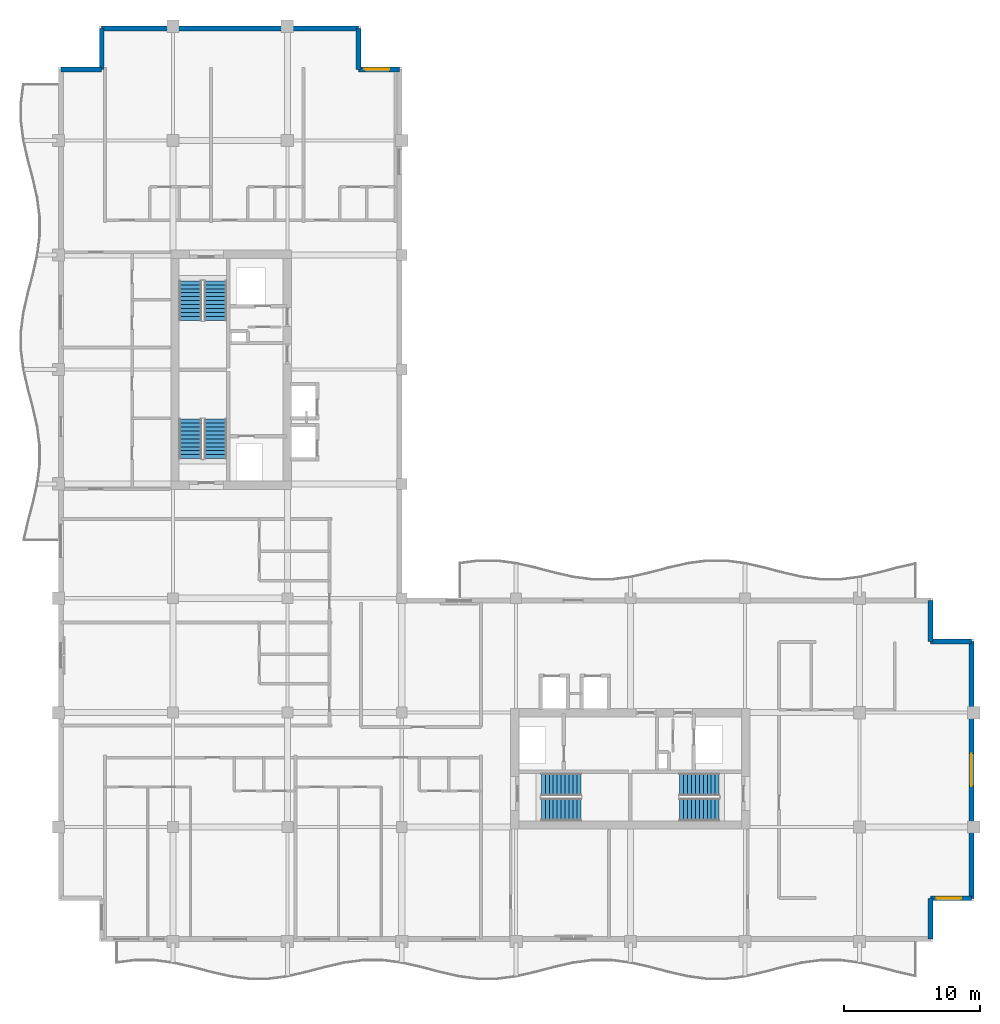
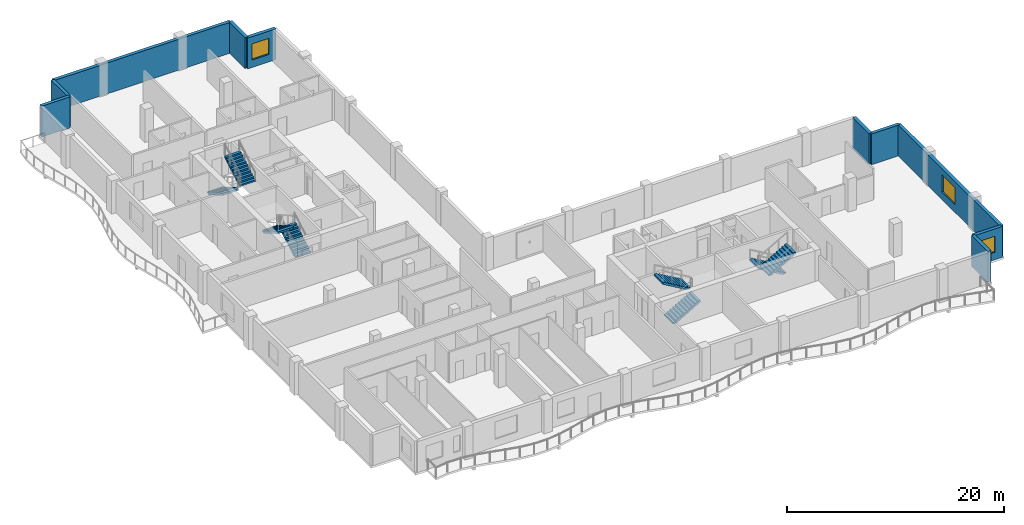
# One storey, part 8 of 12: 10 walls, 8 stair flights, 3 windows, 3 openings, 4 elements without a shape of their own.
"""IFC4 building model written with IfcOpenShell, lengths in metres."""

import ifcopenshell
import ifcopenshell.guid

model = None  # the IFC model being written
_history = None  # IfcOwnerHistory: only IFC2X3 demands one
_inside = {}  # id of a spatial element -> (the spatial element, [elements in it])
_under = {}  # id of a project, library or spatial element -> (it, [spatial elements below it])
_declared = {}  # id of a project -> (the project, [libraries it declares])
_typed = {}  # id of a type object -> (the type object, [elements of that type])
_made_of = {}  # id of a material, layer set ... -> (it, [elements and type objects made of it])


def new_model(schema):
    """Start an empty IFC model of exactly this schema.

    Asked for "IFC4X3", IfcOpenShell would pick the latest addendum, in which some entities
    have other attributes; the version numbers below select the first issue.
    IFC2X3 requires an IfcOwnerHistory on every rooted entity: one is made here for all.
    """
    global model, _history
    if schema == "IFC4X3":
        model = ifcopenshell.file(schema_version=(4, 3, 0, 0))
    else:
        model = ifcopenshell.file(schema=schema)
    _inside.clear()
    _under.clear()
    _declared.clear()
    _typed.clear()
    _made_of.clear()
    _history = None
    if model.schema == "IFC2X3":
        org = make("IfcOrganization", Name="unknown")
        user = make(
            "IfcPersonAndOrganization",
            ThePerson=make("IfcPerson", FamilyName="unknown"),
            TheOrganization=org,
        )
        app = make(
            "IfcApplication",
            ApplicationDeveloper=org,
            Version="unknown",
            ApplicationFullName="unknown",
            ApplicationIdentifier="unknown",
        )
        _history = make(
            "IfcOwnerHistory",
            OwningUser=user,
            OwningApplication=app,
            ChangeAction="ADDED",
            CreationDate=0,
        )
    return model


def make(cls, **values):
    """One entity of the class cls with the attributes given. An attribute that is None is left unset."""
    return model.create_entity(
        cls, **{name: value for name, value in values.items() if value is not None}
    )


def rooted(cls, **values):
    """An entity with a GlobalId (a new one), such as an element, a storey or a relation."""
    return make(cls, GlobalId=ifcopenshell.guid.new(), OwnerHistory=_history, **values)


def si_unit(unit_type, name, prefix=None):
    """IfcSIUnit, for example si_unit("LENGTHUNIT", "METRE", prefix="MILLI")."""
    return make("IfcSIUnit", UnitType=unit_type, Prefix=prefix, Name=name)


def assignment(units):
    """IfcUnitAssignment: the units of a project."""
    return None if units is None else make("IfcUnitAssignment", Units=units)


def point(xyz):
    """IfcCartesianPoint."""
    return None if xyz is None else make("IfcCartesianPoint", Coordinates=xyz)


def direction(xyz):
    """IfcDirection."""
    return None if xyz is None else make("IfcDirection", DirectionRatios=xyz)


def frame(location, z_axis=None, x_axis=None):
    """IfcAxis2Placement3D, a coordinate frame: its origin and axes. An axis left out is left unset."""
    return make(
        "IfcAxis2Placement3D",
        Location=point(location),
        Axis=direction(z_axis),
        RefDirection=direction(x_axis),
    )


def frame_2d(location, x_axis=None):
    """IfcAxis2Placement2D, a coordinate frame in the plane: its origin and x axis."""
    return make(
        "IfcAxis2Placement2D", Location=point(location), RefDirection=direction(x_axis)
    )


def origin():
    """The frame at (0, 0, 0) with its axes left unset."""
    return frame((0.0, 0.0, 0.0))


def place(relative_to, where):
    """IfcLocalPlacement: puts the frame where relative to a parent placement (None: the world)."""
    return make(
        "IfcLocalPlacement", PlacementRelTo=relative_to, RelativePlacement=where
    )


def context(
    kind, dimensions, precision=None, world=None, true_north=None, identifier=None
):
    """IfcGeometricRepresentationContext, for example the 3D "Model" context."""
    return make(
        "IfcGeometricRepresentationContext",
        ContextIdentifier=identifier,
        ContextType=kind,
        CoordinateSpaceDimension=dimensions,
        Precision=precision,
        WorldCoordinateSystem=world,
        TrueNorth=true_north,
    )


def subcontext(parent, identifier, kind, view, scale=None):
    """IfcGeometricRepresentationSubContext, for example "Body" below "Model"."""
    return make(
        "IfcGeometricRepresentationSubContext",
        ContextIdentifier=identifier,
        ContextType=kind,
        ParentContext=parent,
        TargetScale=scale,
        TargetView=view,
    )


def project(units=None, contexts=None):
    """IfcProject with its units and contexts."""
    return rooted(
        "IfcProject",
        Name="project",
        RepresentationContexts=contexts,
        UnitsInContext=assignment(units),
    )


def spatial(cls, under=None, at=None, **own):
    """A site, building, storey or space (cls), placed at a placement, below another one or the project."""
    s = rooted(cls, ObjectPlacement=at, **own)
    if under is not None:
        _under.setdefault(under.id(), (under, []))[1].append(s)
    return s


def polyline(points):
    """IfcPolyline through the points."""
    return make("IfcPolyline", Points=[point(p) for p in points])


def profile(cls, at=None, kind="AREA", **sizes):
    """A parametric profile (cls). Its sizes go by their IFC names, for example OverallWidth=200.0."""
    return make(cls, ProfileType=kind, Position=at, **sizes)


def rectangle(**sizes):
    """IfcRectangleProfileDef."""
    return profile("IfcRectangleProfileDef", **sizes)


def outline(outer, holes=None, kind="AREA"):
    """IfcArbitraryClosedProfileDef: a profile drawn as a closed curve; with holes, ...WithVoids."""
    if holes is None:
        return make("IfcArbitraryClosedProfileDef", ProfileType=kind, OuterCurve=outer)
    return make(
        "IfcArbitraryProfileDefWithVoids",
        ProfileType=kind,
        OuterCurve=outer,
        InnerCurves=holes,
    )


def extrude(swept, where, along, depth):
    """IfcExtrudedAreaSolid: the profile swept, set in the frame where, extruded along a direction by depth."""
    return make(
        "IfcExtrudedAreaSolid",
        SweptArea=swept,
        Position=where,
        ExtrudedDirection=direction(along),
        Depth=depth,
    )


def shape(context_of_items, identifier, shape_type, items):
    """IfcShapeRepresentation: the items that make up one representation, for example the "Body"."""
    return make(
        "IfcShapeRepresentation",
        ContextOfItems=context_of_items,
        RepresentationIdentifier=identifier,
        RepresentationType=shape_type,
        Items=items,
    )


def material(Name=None, Category=None):
    """IfcMaterial."""
    return make("IfcMaterial", Name=Name, Category=Category)


def layer(
    of_material, thickness, ventilated=None, Name=None, Category=None, Priority=None
):
    """IfcMaterialLayer: one layer of a wall or slab, of a material (None: an air gap)."""
    return make(
        "IfcMaterialLayer",
        Material=of_material,
        LayerThickness=thickness,
        IsVentilated=ventilated,
        Name=Name,
        Category=Category,
        Priority=Priority,
    )


def layer_set(layers, Name=None):
    """IfcMaterialLayerSet."""
    return make("IfcMaterialLayerSet", MaterialLayers=layers, LayerSetName=Name)


def made_of(thing, what):
    """Note that an element or type object is made of a material, layer set ...; save() writes the relation."""
    if what is not None:
        _made_of.setdefault(what.id(), (what, []))[1].append(thing)
    return thing


def type_object(cls, material=None, **own):
    """A type object (cls), such as IfcWallType, which elements share."""
    return made_of(rooted(cls, **own), material)


def element(
    cls,
    number,
    at=None,
    inside=None,
    cuts=None,
    type_object=None,
    material=None,
    context=None,
    identifier="Body",
    shape_type=None,
    held_by="IfcProductDefinitionShape",
    body=None,
    shapes=None,
    **own,
):
    """One element of the class cls, such as IfcWall. Its Tag is "e" and its number.

    at: its placement. inside: the storey or other place that contains it. cuts: it is an
    opening in that element (IfcRelVoidsElement). A single representation is given by context,
    identifier, shape_type and body (its items); several are given by shapes. held_by: the class
    of the entity that holds the representations. save() writes the other relations.
    """
    e = rooted(cls, Tag="e%d" % number, ObjectPlacement=at, **own)
    if body is not None:
        shapes = [shape(context, identifier, shape_type, body)]
    if shapes is not None:
        e.Representation = make(held_by, Representations=shapes)
    if inside is not None:
        _inside.setdefault(inside.id(), (inside, []))[1].append(e)
    if cuts is not None:
        rooted(
            "IfcRelVoidsElement", RelatingBuildingElement=cuts, RelatedOpeningElement=e
        )
    if type_object is not None:
        _typed.setdefault(type_object.id(), (type_object, []))[1].append(e)
    return made_of(e, material)


def fill(opening, filler):
    """IfcRelFillsElement: the door or window that sits in an opening."""
    return rooted(
        "IfcRelFillsElement",
        RelatingOpeningElement=opening,
        RelatedBuildingElement=filler,
    )


def aggregate(whole, parts):
    """IfcRelAggregates: a whole, such as a stair, and the parts it consists of."""
    return rooted("IfcRelAggregates", RelatingObject=whole, RelatedObjects=parts)


def save(model, path):
    """Write the relations noted so far, then the file.

    IfcRelAggregates (storeys below a building ...), IfcRelContainedInSpatialStructure (elements
    in a storey), IfcRelDefinesByType, IfcRelAssociatesMaterial and IfcRelDeclares: one each for
    every whole, place, type object, material and project.
    """
    for whole, parts in _under.values():
        aggregate(whole, parts)
    for where, things in _inside.values():
        rooted(
            "IfcRelContainedInSpatialStructure",
            RelatedElements=things,
            RelatingStructure=where,
        )
    for kind, things in _typed.values():
        rooted("IfcRelDefinesByType", RelatedObjects=things, RelatingType=kind)
    for what, things in _made_of.values():
        rooted("IfcRelAssociatesMaterial", RelatedObjects=things, RelatingMaterial=what)
    for by, libraries in _declared.values():
        rooted("IfcRelDeclares", RelatingContext=by, RelatedDefinitions=libraries)
    model.write(path)


model = new_model("IFC4")

# Units and contexts
model_context = context("Model", 3, precision=1e-05, world=origin(), true_north=direction((0.0, 1.0)))
body_context = subcontext(model_context, "Body", "Model", "MODEL_VIEW")
ifc_project = project(units=[si_unit("LENGTHUNIT", "METRE"), si_unit("AREAUNIT", "SQUARE_METRE"), si_unit("VOLUMEUNIT", "CUBIC_METRE"), si_unit("PLANEANGLEUNIT", "RADIAN"), si_unit("MASSUNIT", "GRAM", prefix="KILO")], contexts=[model_context])

# Site, building, storey
site_placement = place(None, origin())
site = spatial("IfcSite", under=ifc_project, at=site_placement, CompositionType="ELEMENT")
building_placement = place(site_placement, origin())
building = spatial("IfcBuilding", under=site, at=building_placement, Name="Koriwani Terraces Tower", CompositionType="ELEMENT")
storey_placement = place(building_placement, frame((0.0, 0.0, 256.39990234375)))
storey = spatial("IfcBuildingStorey", under=building, at=storey_placement, Name="L63", CompositionType="ELEMENT", Elevation=256.39990234375)

# Walls
ifc_material_1 = material(Name="Concrete C50/60", Category="concrete")
ifc_layer = layer(ifc_material_1, 0.35009765625, Name="Concrete C50/60")
ifc_layer_set = layer_set([ifc_layer], Name="Concrete C50/60")
wall_type = type_object("IfcWallType", Name="WALL_EXT_BRUTALIST_350", PredefinedType="STANDARD", material=ifc_layer_set)
for number, where, z_axis, x_axis, name in (
    (1, (8.574951171875, 72.425048828125, 0.0), (0.0, 0.0, 1.0), (1.0, 0.0, 0.0), "L63 Fair-Faced Brutalist Exterior Wall (N3)"),
    (2, (11.574951171875, 72.425048828125, 0.0), (0.0, 0.0, 1.0), (0.0, 1.0, 0.0), "L63 Fair-Faced Brutalist Exterior Wall (N4)"),
):
    element("IfcWall", number, at=place(storey_placement, frame(where, z_axis=z_axis, x_axis=x_axis)), inside=storey, type_object=wall_type, Name=name, PredefinedType="STANDARD", context=body_context, shape_type="SweptSolid", body=[
        extrude(rectangle(XDim=3.0, YDim=0.35009765625, at=frame_2d((1.5, 0.0))), origin(), (0.0, 0.0, 1.0), 3.47021484375),
    ])
wall_1_placement = place(storey_placement, frame((11.574951171875, 75.425048828125, 0.0), z_axis=(0.0, 0.0, 1.0), x_axis=(1.0, 0.0, 0.0)))
element("IfcWall", 3, at=wall_1_placement, inside=storey, type_object=wall_type, Name="L63 Fair-Faced Brutalist Exterior Wall (N_TIP)", PredefinedType="STANDARD", context=body_context, shape_type="SweptSolid", body=[
    extrude(rectangle(XDim=18.85009765625, YDim=0.35009765625, at=frame_2d((9.425048828125, 0.0))), origin(), (0.0, 0.0, 1.0), 3.47021484375),
])
wall_2_placement = place(storey_placement, frame((30.425048828125, 75.425048828125, 0.0), z_axis=(0.0, 0.0, 1.0), x_axis=(0.0, -1.0, 0.0)))
element("IfcWall", 4, at=wall_2_placement, inside=storey, type_object=wall_type, Name="L63 Fair-Faced Brutalist Exterior Wall (N6)", PredefinedType="STANDARD", context=body_context, shape_type="SweptSolid", body=[
    extrude(rectangle(XDim=3.0, YDim=0.35009765625, at=frame_2d((1.5, 0.0))), origin(), (0.0, 0.0, 1.0), 3.47021484375),
])

# Wall, opening, window
wall_3_placement = place(storey_placement, frame((30.425048828125, 72.425048828125, 0.0), z_axis=(0.0, 0.0, 1.0), x_axis=(1.0, 0.0, 0.0)))
wall_3 = element("IfcWall", 5, at=wall_3_placement, inside=storey, type_object=wall_type, Name="L63 Fair-Faced Brutalist Exterior Wall (N7)", PredefinedType="STANDARD", context=body_context, shape_type="SweptSolid", body=[
    extrude(rectangle(XDim=3.0, YDim=0.35009765625, at=frame_2d((1.5, 0.0))), origin(), (0.0, 0.0, 1.0), 3.47021484375),
])
opening_1_placement = place(wall_3_placement, frame((0.472412109375, 0.0, 0.85009765625)))
opening_1 = element("IfcOpeningElement", 6, at=opening_1_placement, cuts=wall_3, Name="Opening W-04", PredefinedType="OPENING", context=body_context, shape_type="SweptSolid", body=[
    extrude(rectangle(XDim=1.800048828125, YDim=1.800048828125, at=frame_2d((0.89990234375, 0.89990234375))), frame((0.0, 0.18505859375, 0.0), z_axis=(0.0, -1.0, 0.0), x_axis=(1.0, 0.0, 0.0)), (0.0, 0.0, 1.0), 0.3701171875),
])
ifc_material_2 = material(Name="Tempered Laminated Low-E Glass", Category="glass")
window_type_1 = type_object("IfcWindowType", Name="WIN_RES_BED_1800X1800", PartitioningType="DOUBLE_PANEL_VERTICAL", PredefinedType="WINDOW", material=ifc_material_2)
window_1_placement = place(opening_1_placement, origin())
window_1 = element("IfcWindow", 7, at=window_1_placement, inside=storey, type_object=window_type_1, Name="L63 Exterior Window (N7-R54)", OverallHeight=1.800048828125, OverallWidth=1.800048828125, PartitioningType="SINGLE_PANEL", PredefinedType="WINDOW", context=body_context, shape_type="SweptSolid", body=[
    extrude(rectangle(XDim=1.800048828125, YDim=1.800048828125, at=frame_2d((0.89990234375, 0.89990234375))), frame((0.0, 0.030029296875, 0.0), z_axis=(0.0, -1.0, 0.0), x_axis=(1.0, 0.0, 0.0)), (0.0, 0.0, 1.0), 0.06005859375),
])
fill(opening_1, window_1)

# Walls
for number, where, z_axis, x_axis, name in (
    (8, (72.425048828125, 33.425048828125, 0.0), (0.0, 0.0, 1.0), (0.0, -1.0, 0.0), "L63 Fair-Faced Brutalist Exterior Wall (N10)"),
    (9, (72.425048828125, 30.425048828125, 0.0), (0.0, 0.0, 1.0), (1.0, 0.0, 0.0), "L63 Fair-Faced Brutalist Exterior Wall (N11)"),
):
    element("IfcWall", number, at=place(storey_placement, frame(where, z_axis=z_axis, x_axis=x_axis)), inside=storey, type_object=wall_type, Name=name, PredefinedType="STANDARD", context=body_context, shape_type="SweptSolid", body=[
        extrude(rectangle(XDim=3.0, YDim=0.35009765625, at=frame_2d((1.5, 0.0))), origin(), (0.0, 0.0, 1.0), 3.47021484375),
    ])

# Wall, opening, window
wall_4_placement = place(storey_placement, frame((75.425048828125, 30.425048828125, 0.0), z_axis=(0.0, 0.0, 1.0), x_axis=(0.0, -1.0, 0.0)))
wall_4 = element("IfcWall", 10, at=wall_4_placement, inside=storey, type_object=wall_type, Name="L63 Fair-Faced Brutalist Exterior Wall (E_TIP)", PredefinedType="STANDARD", context=body_context, shape_type="SweptSolid", body=[
    extrude(rectangle(XDim=18.85009765625, YDim=0.35009765625, at=frame_2d((9.425048828125, 0.0))), origin(), (0.0, 0.0, 1.0), 3.47021484375),
])
opening_2_placement = place(wall_4_placement, frame((8.22509765625, 0.0, 0.85009765625)))
opening_2 = element("IfcOpeningElement", 11, at=opening_2_placement, cuts=wall_4, Name="Opening W-03", PredefinedType="OPENING", context=body_context, shape_type="SweptSolid", body=[
    extrude(rectangle(XDim=2.39990234375, YDim=1.949951171875, at=frame_2d((1.199951171875, 0.97509765625))), frame((0.0, 0.18505859375, 0.0), z_axis=(0.0, -1.0, 0.0), x_axis=(1.0, 0.0, 0.0)), (0.0, 0.0, 1.0), 0.3701171875),
])
window_type_2 = type_object("IfcWindowType", Name="WIN_RES_LIVING_2400X1950", PartitioningType="DOUBLE_PANEL_VERTICAL", PredefinedType="WINDOW", material=ifc_material_2)
window_2_placement = place(opening_2_placement, origin())
window_2 = element("IfcWindow", 12, at=window_2_placement, inside=storey, type_object=window_type_2, Name="L63 Exterior Window (E_TIP-3)", OverallHeight=1.949951171875, OverallWidth=2.39990234375, PartitioningType="SINGLE_PANEL", PredefinedType="WINDOW", context=body_context, shape_type="SweptSolid", body=[
    extrude(rectangle(XDim=2.39990234375, YDim=1.949951171875, at=frame_2d((1.199951171875, 0.97509765625))), frame((0.0, 0.030029296875, 0.0), z_axis=(0.0, -1.0, 0.0), x_axis=(1.0, 0.0, 0.0)), (0.0, 0.0, 1.0), 0.06005859375),
])
fill(opening_2, window_2)

wall_5_placement = place(storey_placement, frame((75.425048828125, 11.574951171875, 0.0), z_axis=(0.0, 0.0, 1.0), x_axis=(-1.0, 0.0, 0.0)))
wall_5 = element("IfcWall", 13, at=wall_5_placement, inside=storey, type_object=wall_type, Name="L63 Fair-Faced Brutalist Exterior Wall (N13)", PredefinedType="STANDARD", context=body_context, shape_type="SweptSolid", body=[
    extrude(rectangle(XDim=3.0, YDim=0.35009765625, at=frame_2d((1.5, 0.0))), origin(), (0.0, 0.0, 1.0), 3.47021484375),
])
opening_3_placement = place(wall_5_placement, frame((0.762451171875, 0.0, 0.85009765625)))
opening_3 = element("IfcOpeningElement", 14, at=opening_3_placement, cuts=wall_5, Name="Opening W-04", PredefinedType="OPENING", context=body_context, shape_type="SweptSolid", body=[
    extrude(rectangle(XDim=1.800048828125, YDim=1.800048828125, at=frame_2d((0.89990234375, 0.89990234375))), frame((0.0, 0.18505859375, 0.0), z_axis=(0.0, -1.0, 0.0), x_axis=(1.0, 0.0, 0.0)), (0.0, 0.0, 1.0), 0.3701171875),
])
window_3_placement = place(opening_3_placement, origin())
window_3 = element("IfcWindow", 15, at=window_3_placement, inside=storey, type_object=window_type_1, Name="L63 Exterior Window (N13-R57)", OverallHeight=1.800048828125, OverallWidth=1.800048828125, PartitioningType="SINGLE_PANEL", PredefinedType="WINDOW", context=body_context, shape_type="SweptSolid", body=[
    extrude(rectangle(XDim=1.800048828125, YDim=1.800048828125, at=frame_2d((0.89990234375, 0.89990234375))), frame((0.0, 0.030029296875, 0.0), z_axis=(0.0, -1.0, 0.0), x_axis=(1.0, 0.0, 0.0)), (0.0, 0.0, 1.0), 0.06005859375),
])
fill(opening_3, window_3)

# Wall
wall_6_placement = place(storey_placement, frame((72.425048828125, 11.574951171875, 0.0), z_axis=(0.0, 0.0, 1.0), x_axis=(0.0, -1.0, 0.0)))
element("IfcWall", 16, at=wall_6_placement, inside=storey, type_object=wall_type, Name="L63 Fair-Faced Brutalist Exterior Wall (N14)", PredefinedType="STANDARD", context=body_context, shape_type="SweptSolid", body=[
    extrude(rectangle(XDim=3.0, YDim=0.35009765625, at=frame_2d((1.5, 0.0))), origin(), (0.0, 0.0, 1.0), 3.47021484375),
])

# Stair, stair flights
ifc_material_3 = material(Name="Concrete C40/50", Category="concrete")
stair_type = type_object("IfcStairType", Name="STAIR_CORE_DOGLEG_1650", PredefinedType="TWO_STRAIGHT_RUN_STAIR", material=ifc_material_3)
stair_1_placement = place(storey_placement, origin())
stair_1 = element("IfcStair", 17, at=stair_1_placement, inside=storey, type_object=stair_type, Name="L63 West Core Exit Stair 1", PredefinedType="HALF_TURN_STAIR")
stair_flight_type = type_object("IfcStairFlightType", Name="STAIR_FLIGHT_RC_1650", PredefinedType="STRAIGHT", material=ifc_material_3)
stair_flight_1_placement = place(storey_placement, frame((19.925048828125, 43.85009765625, 0.0), z_axis=(0.0, 0.0, 1.0), x_axis=(0.0, 1.0, 0.0)))
stair_flight_1 = element("IfcStairFlight", 18, at=stair_flight_1_placement, type_object=stair_flight_type, Name="ST-W1 flight 1", NumberOfRisers=11, NumberOfTreads=10, PredefinedType="STRAIGHT", RiserHeight=0.168181818, TreadLength=0.29, context=body_context, shape_type="SweptSolid", body=[
    extrude(outline(polyline([(0.0, 0.0), (0.0, 0.168212890625), (0.2900390625, 0.168212890625), (0.2900390625, 0.33642578125), (0.580078125, 0.33642578125), (0.580078125, 0.504638671875), (0.8701171875, 0.504638671875), (0.8701171875, 0.672607421875), (1.159912109375, 0.672607421875), (1.159912109375, 0.8408203125), (1.449951171875, 0.8408203125), (1.449951171875, 1.009033203125), (1.739990234375, 1.009033203125), (1.739990234375, 1.17724609375), (2.030029296875, 1.17724609375), (2.030029296875, 1.345458984375), (2.320068359375, 1.345458984375), (2.320068359375, 1.513671875), (2.610107421875, 1.513671875), (2.610107421875, 1.681884765625), (2.89990234375, 1.681884765625), (2.89990234375, 1.85009765625), (2.89990234375, 1.473876953125), (0.358642578125, 0.0), (0.0, 0.0)])), frame((0.0, 0.824951171875, 0.0), z_axis=(0.0, -1.0, 0.0), x_axis=(1.0, 0.0, 0.0)), (0.0, 0.0, 1.0), 1.64990234375),
])
stair_flight_2_placement = place(storey_placement, frame((18.074951171875, 46.75, 1.85009765625), z_axis=(0.0, 0.0, 1.0), x_axis=(0.0, -1.0, 0.0)))
stair_flight_2 = element("IfcStairFlight", 19, at=stair_flight_2_placement, type_object=stair_flight_type, Name="ST-W1 flight 2", NumberOfRisers=11, NumberOfTreads=10, PredefinedType="STRAIGHT", RiserHeight=0.168181818, TreadLength=0.29, context=body_context, shape_type="SweptSolid", body=[
    extrude(outline(polyline([(0.0, 0.0), (0.0, 0.168212890625), (0.2900390625, 0.168212890625), (0.2900390625, 0.33642578125), (0.580078125, 0.33642578125), (0.580078125, 0.504638671875), (0.8701171875, 0.504638671875), (0.8701171875, 0.672607421875), (1.159912109375, 0.672607421875), (1.159912109375, 0.8408203125), (1.449951171875, 0.8408203125), (1.449951171875, 1.009033203125), (1.739990234375, 1.009033203125), (1.739990234375, 1.17724609375), (2.030029296875, 1.17724609375), (2.030029296875, 1.345458984375), (2.320068359375, 1.345458984375), (2.320068359375, 1.513671875), (2.610107421875, 1.513671875), (2.610107421875, 1.681884765625), (2.89990234375, 1.681884765625), (2.89990234375, 1.85009765625), (2.89990234375, 1.473876953125), (0.358642578125, 0.0), (0.0, 0.0)])), frame((0.0, 0.824951171875, 0.0), z_axis=(0.0, -1.0, 0.0), x_axis=(1.0, 0.0, 0.0)), (0.0, 0.0, 1.0), 1.64990234375),
])
aggregate(stair_1, [stair_flight_1, stair_flight_2])

stair_2_placement = place(storey_placement, origin())
stair_2 = element("IfcStair", 20, at=stair_2_placement, inside=storey, type_object=stair_type, Name="L63 West Core Exit Stair 2", PredefinedType="HALF_TURN_STAIR")
stair_flight_3_placement = place(storey_placement, frame((18.074951171875, 56.89990234375, 0.0), z_axis=(0.0, 0.0, 1.0), x_axis=(0.0, -1.0, 0.0)))
stair_flight_3 = element("IfcStairFlight", 21, at=stair_flight_3_placement, type_object=stair_flight_type, Name="ST-W2 flight 1", NumberOfRisers=11, NumberOfTreads=10, PredefinedType="STRAIGHT", RiserHeight=0.168181818, TreadLength=0.29, context=body_context, shape_type="SweptSolid", body=[
    extrude(outline(polyline([(0.0, 0.0), (0.0, 0.168212890625), (0.2900390625, 0.168212890625), (0.2900390625, 0.33642578125), (0.580078125, 0.33642578125), (0.580078125, 0.504638671875), (0.8701171875, 0.504638671875), (0.8701171875, 0.672607421875), (1.159912109375, 0.672607421875), (1.159912109375, 0.8408203125), (1.449951171875, 0.8408203125), (1.449951171875, 1.009033203125), (1.739990234375, 1.009033203125), (1.739990234375, 1.17724609375), (2.030029296875, 1.17724609375), (2.030029296875, 1.345458984375), (2.320068359375, 1.345458984375), (2.320068359375, 1.513671875), (2.610107421875, 1.513671875), (2.610107421875, 1.681884765625), (2.89990234375, 1.681884765625), (2.89990234375, 1.85009765625), (2.89990234375, 1.473876953125), (0.358642578125, 0.0), (0.0, 0.0)])), frame((0.0, 0.824951171875, 0.0), z_axis=(0.0, -1.0, 0.0), x_axis=(1.0, 0.0, 0.0)), (0.0, 0.0, 1.0), 1.64990234375),
])
stair_flight_4_placement = place(storey_placement, frame((19.925048828125, 54.0, 1.85009765625), z_axis=(0.0, 0.0, 1.0), x_axis=(0.0, 1.0, 0.0)))
stair_flight_4 = element("IfcStairFlight", 22, at=stair_flight_4_placement, type_object=stair_flight_type, Name="ST-W2 flight 2", NumberOfRisers=11, NumberOfTreads=10, PredefinedType="STRAIGHT", RiserHeight=0.168181818, TreadLength=0.29, context=body_context, shape_type="SweptSolid", body=[
    extrude(outline(polyline([(0.0, 0.0), (0.0, 0.168212890625), (0.2900390625, 0.168212890625), (0.2900390625, 0.33642578125), (0.580078125, 0.33642578125), (0.580078125, 0.504638671875), (0.8701171875, 0.504638671875), (0.8701171875, 0.672607421875), (1.159912109375, 0.672607421875), (1.159912109375, 0.8408203125), (1.449951171875, 0.8408203125), (1.449951171875, 1.009033203125), (1.739990234375, 1.009033203125), (1.739990234375, 1.17724609375), (2.030029296875, 1.17724609375), (2.030029296875, 1.345458984375), (2.320068359375, 1.345458984375), (2.320068359375, 1.513671875), (2.610107421875, 1.513671875), (2.610107421875, 1.681884765625), (2.89990234375, 1.681884765625), (2.89990234375, 1.85009765625), (2.89990234375, 1.473876953125), (0.358642578125, 0.0), (0.0, 0.0)])), frame((0.0, 0.824951171875, 0.0), z_axis=(0.0, -1.0, 0.0), x_axis=(1.0, 0.0, 0.0)), (0.0, 0.0, 1.0), 1.64990234375),
])
aggregate(stair_2, [stair_flight_3, stair_flight_4])

stair_3_placement = place(storey_placement, origin())
stair_3 = element("IfcStair", 23, at=stair_3_placement, inside=storey, type_object=stair_type, Name="L63 East Core Exit Stair 1", PredefinedType="HALF_TURN_STAIR")
stair_flight_5_placement = place(storey_placement, frame((43.85009765625, 18.074951171875, 0.0), z_axis=(0.0, 0.0, 1.0), x_axis=(1.0, 0.0, 0.0)))
stair_flight_5 = element("IfcStairFlight", 24, at=stair_flight_5_placement, type_object=stair_flight_type, Name="ST-E1 flight 1", NumberOfRisers=11, NumberOfTreads=10, PredefinedType="STRAIGHT", RiserHeight=0.168181818, TreadLength=0.29, context=body_context, shape_type="SweptSolid", body=[
    extrude(outline(polyline([(0.0, 0.0), (0.0, 0.168212890625), (0.2900390625, 0.168212890625), (0.2900390625, 0.33642578125), (0.580078125, 0.33642578125), (0.580078125, 0.504638671875), (0.8701171875, 0.504638671875), (0.8701171875, 0.672607421875), (1.159912109375, 0.672607421875), (1.159912109375, 0.8408203125), (1.449951171875, 0.8408203125), (1.449951171875, 1.009033203125), (1.739990234375, 1.009033203125), (1.739990234375, 1.17724609375), (2.030029296875, 1.17724609375), (2.030029296875, 1.345458984375), (2.320068359375, 1.345458984375), (2.320068359375, 1.513671875), (2.610107421875, 1.513671875), (2.610107421875, 1.681884765625), (2.89990234375, 1.681884765625), (2.89990234375, 1.85009765625), (2.89990234375, 1.473876953125), (0.358642578125, 0.0), (0.0, 0.0)])), frame((0.0, 0.824951171875, 0.0), z_axis=(0.0, -1.0, 0.0), x_axis=(1.0, 0.0, 0.0)), (0.0, 0.0, 1.0), 1.64990234375),
])
stair_flight_6_placement = place(storey_placement, frame((46.75, 19.925048828125, 1.85009765625), z_axis=(0.0, 0.0, 1.0), x_axis=(-1.0, 0.0, 0.0)))
stair_flight_6 = element("IfcStairFlight", 25, at=stair_flight_6_placement, type_object=stair_flight_type, Name="ST-E1 flight 2", NumberOfRisers=11, NumberOfTreads=10, PredefinedType="STRAIGHT", RiserHeight=0.168181818, TreadLength=0.29, context=body_context, shape_type="SweptSolid", body=[
    extrude(outline(polyline([(0.0, 0.0), (0.0, 0.168212890625), (0.2900390625, 0.168212890625), (0.2900390625, 0.33642578125), (0.580078125, 0.33642578125), (0.580078125, 0.504638671875), (0.8701171875, 0.504638671875), (0.8701171875, 0.672607421875), (1.159912109375, 0.672607421875), (1.159912109375, 0.8408203125), (1.449951171875, 0.8408203125), (1.449951171875, 1.009033203125), (1.739990234375, 1.009033203125), (1.739990234375, 1.17724609375), (2.030029296875, 1.17724609375), (2.030029296875, 1.345458984375), (2.320068359375, 1.345458984375), (2.320068359375, 1.513671875), (2.610107421875, 1.513671875), (2.610107421875, 1.681884765625), (2.89990234375, 1.681884765625), (2.89990234375, 1.85009765625), (2.89990234375, 1.473876953125), (0.358642578125, 0.0), (0.0, 0.0)])), frame((0.0, 0.824951171875, 0.0), z_axis=(0.0, -1.0, 0.0), x_axis=(1.0, 0.0, 0.0)), (0.0, 0.0, 1.0), 1.64990234375),
])
aggregate(stair_3, [stair_flight_5, stair_flight_6])

stair_4_placement = place(storey_placement, origin())
stair_4 = element("IfcStair", 26, at=stair_4_placement, inside=storey, type_object=stair_type, Name="L63 East Core Exit Stair 2", PredefinedType="HALF_TURN_STAIR")
stair_flight_7_placement = place(storey_placement, frame((56.89990234375, 19.925048828125, 0.0), z_axis=(0.0, 0.0, 1.0), x_axis=(-1.0, 0.0, 0.0)))
stair_flight_7 = element("IfcStairFlight", 27, at=stair_flight_7_placement, type_object=stair_flight_type, Name="ST-E2 flight 1", NumberOfRisers=11, NumberOfTreads=10, PredefinedType="STRAIGHT", RiserHeight=0.168181818, TreadLength=0.29, context=body_context, shape_type="SweptSolid", body=[
    extrude(outline(polyline([(0.0, 0.0), (0.0, 0.168212890625), (0.2900390625, 0.168212890625), (0.2900390625, 0.33642578125), (0.580078125, 0.33642578125), (0.580078125, 0.504638671875), (0.8701171875, 0.504638671875), (0.8701171875, 0.672607421875), (1.159912109375, 0.672607421875), (1.159912109375, 0.8408203125), (1.449951171875, 0.8408203125), (1.449951171875, 1.009033203125), (1.739990234375, 1.009033203125), (1.739990234375, 1.17724609375), (2.030029296875, 1.17724609375), (2.030029296875, 1.345458984375), (2.320068359375, 1.345458984375), (2.320068359375, 1.513671875), (2.610107421875, 1.513671875), (2.610107421875, 1.681884765625), (2.89990234375, 1.681884765625), (2.89990234375, 1.85009765625), (2.89990234375, 1.473876953125), (0.358642578125, 0.0), (0.0, 0.0)])), frame((0.0, 0.824951171875, 0.0), z_axis=(0.0, -1.0, 0.0), x_axis=(1.0, 0.0, 0.0)), (0.0, 0.0, 1.0), 1.64990234375),
])
stair_flight_8_placement = place(storey_placement, frame((54.0, 18.074951171875, 1.85009765625), z_axis=(0.0, 0.0, 1.0), x_axis=(1.0, 0.0, 0.0)))
stair_flight_8 = element("IfcStairFlight", 28, at=stair_flight_8_placement, type_object=stair_flight_type, Name="ST-E2 flight 2", NumberOfRisers=11, NumberOfTreads=10, PredefinedType="STRAIGHT", RiserHeight=0.168181818, TreadLength=0.29, context=body_context, shape_type="SweptSolid", body=[
    extrude(outline(polyline([(0.0, 0.0), (0.0, 0.168212890625), (0.2900390625, 0.168212890625), (0.2900390625, 0.33642578125), (0.580078125, 0.33642578125), (0.580078125, 0.504638671875), (0.8701171875, 0.504638671875), (0.8701171875, 0.672607421875), (1.159912109375, 0.672607421875), (1.159912109375, 0.8408203125), (1.449951171875, 0.8408203125), (1.449951171875, 1.009033203125), (1.739990234375, 1.009033203125), (1.739990234375, 1.17724609375), (2.030029296875, 1.17724609375), (2.030029296875, 1.345458984375), (2.320068359375, 1.345458984375), (2.320068359375, 1.513671875), (2.610107421875, 1.513671875), (2.610107421875, 1.681884765625), (2.89990234375, 1.681884765625), (2.89990234375, 1.85009765625), (2.89990234375, 1.473876953125), (0.358642578125, 0.0), (0.0, 0.0)])), frame((0.0, 0.824951171875, 0.0), z_axis=(0.0, -1.0, 0.0), x_axis=(1.0, 0.0, 0.0)), (0.0, 0.0, 1.0), 1.64990234375),
])
aggregate(stair_4, [stair_flight_7, stair_flight_8])

save(model, "model.ifc")
